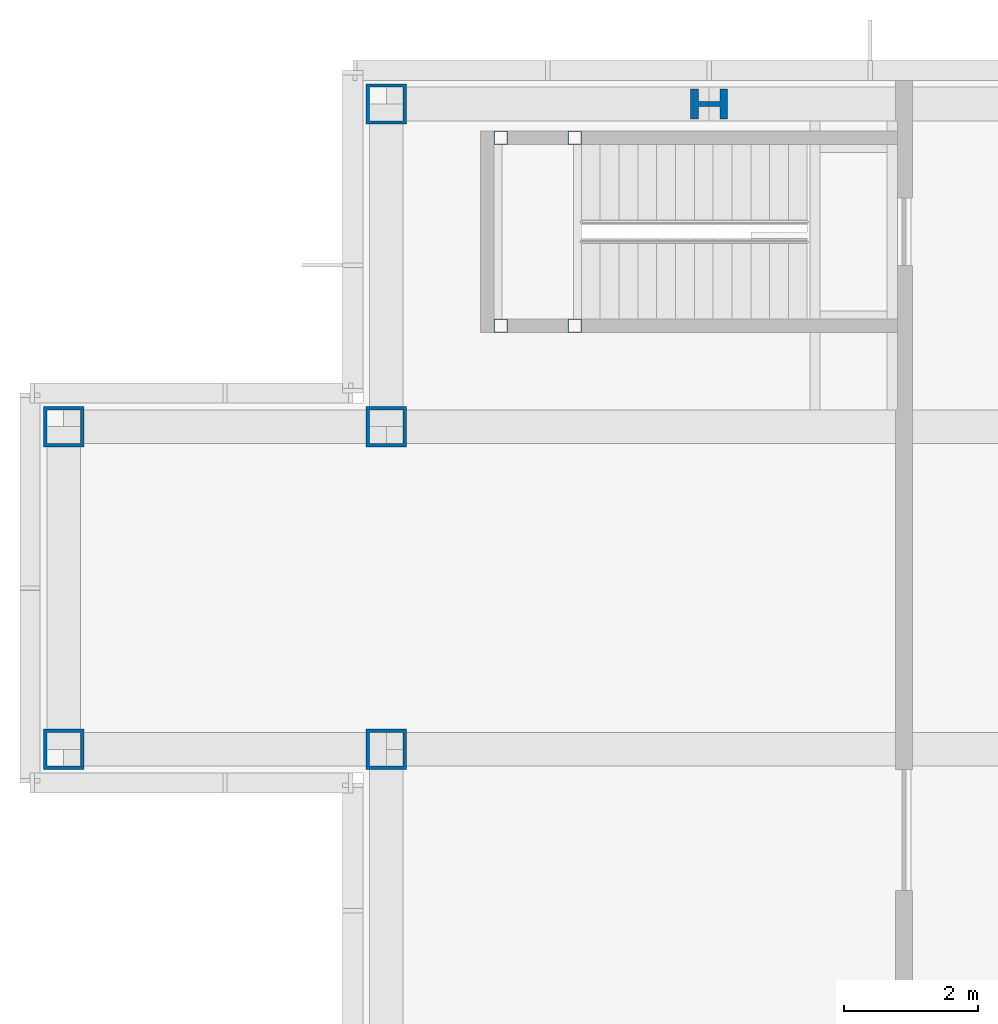
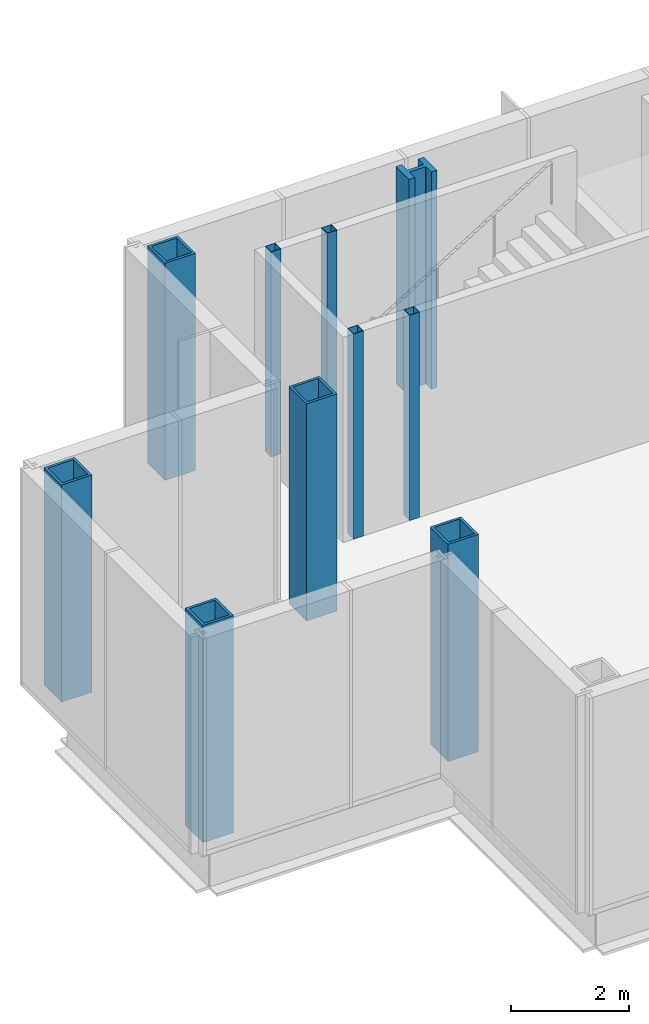
# One storey, part 3 of 12: 10 columns.
"""IFC4 building model written with IfcOpenShell, lengths in metres."""

from ifc_helpers import new_model, si_unit, direction, frame, origin, origin_2d, place, context, subcontext, project, spatial, hollow_rectangle, i_section, extrude, material, material_profile, profile_set, type_object, element, save


model = new_model("IFC4")

# Units and contexts
model_context = context("Model", 3, precision=1e-05, world=origin(), true_north=direction((0.0, 1.0)))
body_context = subcontext(model_context, "Body", "Model", "MODEL_VIEW")
ifc_project = project(units=[si_unit("LENGTHUNIT", "METRE"), si_unit("AREAUNIT", "SQUARE_METRE"), si_unit("VOLUMEUNIT", "CUBIC_METRE"), si_unit("PLANEANGLEUNIT", "RADIAN"), si_unit("MASSUNIT", "GRAM", prefix="KILO")], contexts=[model_context])

# Site, building, storey
site_placement = place(None, origin())
site = spatial("IfcSite", under=ifc_project, at=site_placement, CompositionType="ELEMENT")
building_placement = place(site_placement, origin())
building = spatial("IfcBuilding", under=site, at=building_placement, Name="Kvirike Care Tower", CompositionType="ELEMENT")
storey_placement = place(building_placement, frame((0.0, 0.0, 243.5)))
storey = spatial("IfcBuildingStorey", under=building, at=storey_placement, Name="L67", CompositionType="ELEMENT", Elevation=243.5)

# Columns
ifc_material_1 = material(Name="Steel S460", Category="steel")
ifc_material_profile_1 = material_profile(ifc_material_1, hollow_rectangle(XDim=0.60009765625, YDim=0.60009765625, WallThickness=0.050048828125, at=origin_2d()), Name="BX 600x600x50")
ifc_profile_set_1 = profile_set([ifc_material_profile_1], Name="Steel S460")
column_type_1 = type_object("IfcColumnType", Name="COLUMN BX 600x600x50", PredefinedType="COLUMN", material=ifc_profile_set_1)
for number, where, z_axis, x_axis, name in (
    (1, (0.0, 33.60009765625, 0.0), (0.0, 0.0, 1.0), (0.0, 1.0, 0.0), "Column H3 L67"),
    (2, (0.0, 38.39990234375, 0.0), (0.0, 0.0, 1.0), (0.0, 1.0, 0.0), "Column J3 L67"),
    (3, (4.800048828125, 33.60009765625, 0.0), (0.0, 0.0, 1.0), (0.0, 1.0, 0.0), "Column H4 L67"),
    (4, (4.800048828125, 38.39990234375, 0.0), (0.0, 0.0, 1.0), (0.0, 1.0, 0.0), "Column J4 L67"),
    (5, (4.800048828125, 43.199951171875, 0.0), (0.0, 0.0, 1.0), (0.0, 1.0, 0.0), "Column K4 L67"),
):
    element("IfcColumn", number, at=place(storey_placement, frame(where, z_axis=z_axis, x_axis=x_axis)), inside=storey, type_object=column_type_1, Name=name, PredefinedType="COLUMN", context=body_context, shape_type="SweptSolid", body=[
        extrude(hollow_rectangle(XDim=0.60009765625, YDim=0.60009765625, WallThickness=0.050048828125, at=origin_2d()), origin(), (0.0, 0.0, 1.0), 4.5),
    ])
ifc_material_2 = material(Name="Steel S460", Category="steel")
ifc_material_profile_2 = material_profile(ifc_material_2, i_section(OverallWidth=0.447998046875, OverallDepth=0.550048828125, WebThickness=0.072021484375, FlangeThickness=0.114990234375, FilletRadius=0.014892578125, at=origin_2d()), Name="HD 400x990")
ifc_profile_set_2 = profile_set([ifc_material_profile_2], Name="Steel S460")
column_type_2 = type_object("IfcColumnType", Name="COLUMN HD 400x990", PredefinedType="COLUMN", material=ifc_profile_set_2)
column_placement = place(storey_placement, frame((9.60009765625, 43.199951171875, 0.0), z_axis=(0.0, 0.0, 1.0), x_axis=(0.0, 1.0, 0.0)))
element("IfcColumn", 6, at=column_placement, inside=storey, type_object=column_type_2, Name="Column K5 L67", PredefinedType="COLUMN", context=body_context, shape_type="SweptSolid", body=[
    extrude(i_section(OverallWidth=0.447998046875, OverallDepth=0.550048828125, WebThickness=0.072021484375, FlangeThickness=0.114990234375, FilletRadius=0.014892578125, at=origin_2d()), origin(), (0.0, 0.0, 1.0), 4.5),
])
ifc_material_3 = material(Name="Steel S460", Category="steel")
ifc_material_profile_3 = material_profile(ifc_material_3, hollow_rectangle(XDim=0.199951171875, YDim=0.199951171875, WallThickness=0.008056640625, at=origin_2d()), Name="SHS 200x200x8")
ifc_profile_set_3 = profile_set([ifc_material_profile_3], Name="Steel S460")
column_type_3 = type_object("IfcColumnType", Name="STAIR POST SHS 200x200x8", PredefinedType="COLUMN", material=ifc_profile_set_3)
for number, where, z_axis, x_axis, name in (
    (7, (6.5, 42.699951171875, 0.0), (0.0, 0.0, 1.0), (1.0, 0.0, 0.0), "Stair 1 post 1 L67"),
    (8, (6.5, 39.89990234375, 0.0), (0.0, 0.0, 1.0), (1.0, 0.0, 0.0), "Stair 1 post 2 L67"),
    (9, (7.60009765625, 42.699951171875, 0.0), (0.0, 0.0, 1.0), (1.0, 0.0, 0.0), "Stair 1 post 3 L67"),
    (10, (7.60009765625, 39.89990234375, 0.0), (0.0, 0.0, 1.0), (1.0, 0.0, 0.0), "Stair 1 post 4 L67"),
):
    element("IfcColumn", number, at=place(storey_placement, frame(where, z_axis=z_axis, x_axis=x_axis)), inside=storey, type_object=column_type_3, Name=name, PredefinedType="COLUMN", context=body_context, shape_type="SweptSolid", body=[
        extrude(hollow_rectangle(XDim=0.199951171875, YDim=0.199951171875, WallThickness=0.008056640625, at=origin_2d()), origin(), (0.0, 0.0, 1.0), 4.25),
    ])

save(model, "model.ifc")
